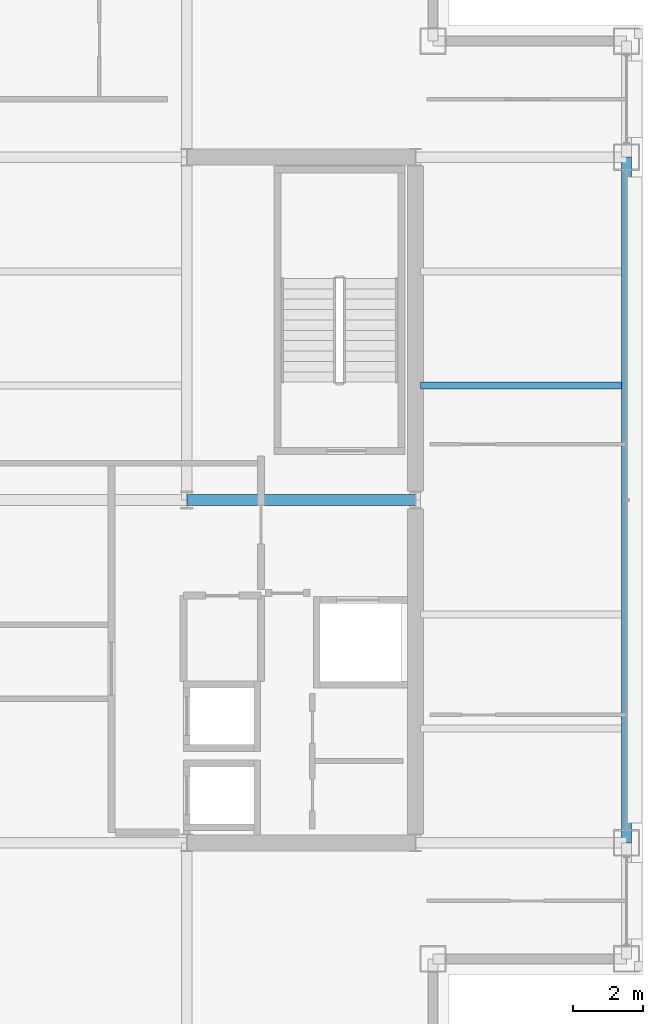
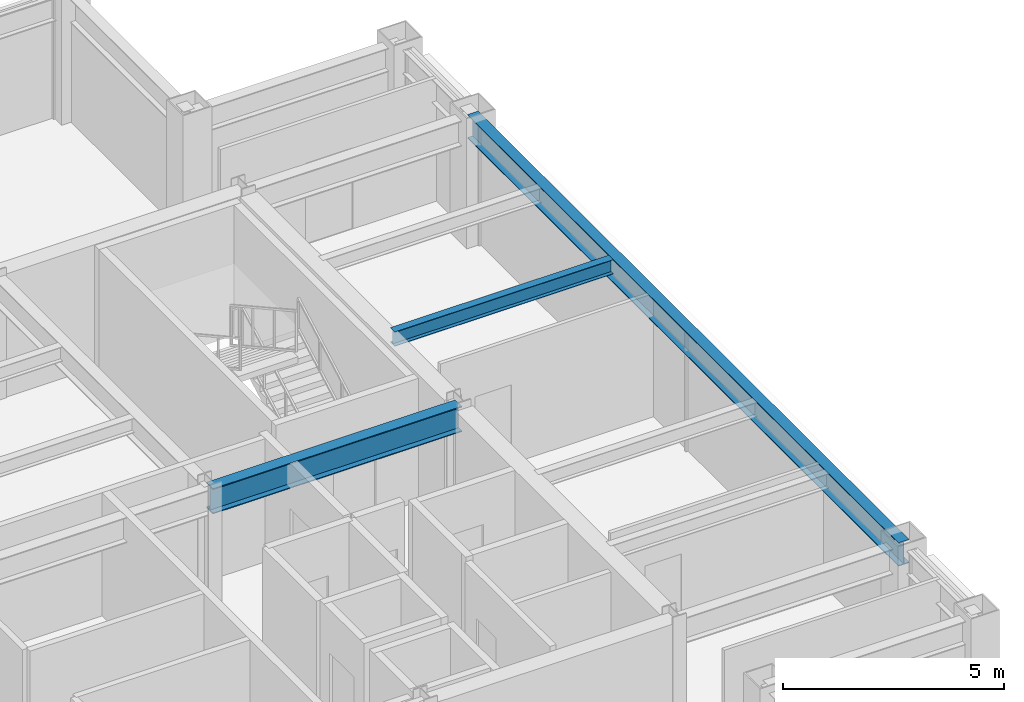
# One storey, part 14 of 28: 3 beams.
"""IFC4 building model written with IfcOpenShell, lengths in metres."""

import ifcopenshell
import ifcopenshell.guid

model = None  # the IFC model being written
_history = None  # IfcOwnerHistory: only IFC2X3 demands one
_inside = {}  # id of a spatial element -> (the spatial element, [elements in it])
_under = {}  # id of a project, library or spatial element -> (it, [spatial elements below it])
_declared = {}  # id of a project -> (the project, [libraries it declares])
_typed = {}  # id of a type object -> (the type object, [elements of that type])
_made_of = {}  # id of a material, layer set ... -> (it, [elements and type objects made of it])


def new_model(schema):
    """Start an empty IFC model of exactly this schema.

    Asked for "IFC4X3", IfcOpenShell would pick the latest addendum, in which some entities
    have other attributes; the version numbers below select the first issue.
    IFC2X3 requires an IfcOwnerHistory on every rooted entity: one is made here for all.
    """
    global model, _history
    if schema == "IFC4X3":
        model = ifcopenshell.file(schema_version=(4, 3, 0, 0))
    else:
        model = ifcopenshell.file(schema=schema)
    _inside.clear()
    _under.clear()
    _declared.clear()
    _typed.clear()
    _made_of.clear()
    _history = None
    if model.schema == "IFC2X3":
        org = make("IfcOrganization", Name="unknown")
        user = make(
            "IfcPersonAndOrganization",
            ThePerson=make("IfcPerson", FamilyName="unknown"),
            TheOrganization=org,
        )
        app = make(
            "IfcApplication",
            ApplicationDeveloper=org,
            Version="unknown",
            ApplicationFullName="unknown",
            ApplicationIdentifier="unknown",
        )
        _history = make(
            "IfcOwnerHistory",
            OwningUser=user,
            OwningApplication=app,
            ChangeAction="ADDED",
            CreationDate=0,
        )
    return model


def make(cls, **values):
    """One entity of the class cls with the attributes given. An attribute that is None is left unset."""
    return model.create_entity(
        cls, **{name: value for name, value in values.items() if value is not None}
    )


def rooted(cls, **values):
    """An entity with a GlobalId (a new one), such as an element, a storey or a relation."""
    return make(cls, GlobalId=ifcopenshell.guid.new(), OwnerHistory=_history, **values)


def si_unit(unit_type, name, prefix=None):
    """IfcSIUnit, for example si_unit("LENGTHUNIT", "METRE", prefix="MILLI")."""
    return make("IfcSIUnit", UnitType=unit_type, Prefix=prefix, Name=name)


def assignment(units):
    """IfcUnitAssignment: the units of a project."""
    return None if units is None else make("IfcUnitAssignment", Units=units)


def point(xyz):
    """IfcCartesianPoint."""
    return None if xyz is None else make("IfcCartesianPoint", Coordinates=xyz)


def direction(xyz):
    """IfcDirection."""
    return None if xyz is None else make("IfcDirection", DirectionRatios=xyz)


def frame(location, z_axis=None, x_axis=None):
    """IfcAxis2Placement3D, a coordinate frame: its origin and axes. An axis left out is left unset."""
    return make(
        "IfcAxis2Placement3D",
        Location=point(location),
        Axis=direction(z_axis),
        RefDirection=direction(x_axis),
    )


def frame_2d(location, x_axis=None):
    """IfcAxis2Placement2D, a coordinate frame in the plane: its origin and x axis."""
    return make(
        "IfcAxis2Placement2D", Location=point(location), RefDirection=direction(x_axis)
    )


def origin():
    """The frame at (0, 0, 0) with its axes left unset."""
    return frame((0.0, 0.0, 0.0))


def origin_2d():
    """The frame at (0, 0) in the plane with its x axis left unset."""
    return frame_2d((0.0, 0.0))


def place(relative_to, where):
    """IfcLocalPlacement: puts the frame where relative to a parent placement (None: the world)."""
    return make(
        "IfcLocalPlacement", PlacementRelTo=relative_to, RelativePlacement=where
    )


def context(
    kind, dimensions, precision=None, world=None, true_north=None, identifier=None
):
    """IfcGeometricRepresentationContext, for example the 3D "Model" context."""
    return make(
        "IfcGeometricRepresentationContext",
        ContextIdentifier=identifier,
        ContextType=kind,
        CoordinateSpaceDimension=dimensions,
        Precision=precision,
        WorldCoordinateSystem=world,
        TrueNorth=true_north,
    )


def subcontext(parent, identifier, kind, view, scale=None):
    """IfcGeometricRepresentationSubContext, for example "Body" below "Model"."""
    return make(
        "IfcGeometricRepresentationSubContext",
        ContextIdentifier=identifier,
        ContextType=kind,
        ParentContext=parent,
        TargetScale=scale,
        TargetView=view,
    )


def project(units=None, contexts=None):
    """IfcProject with its units and contexts."""
    return rooted(
        "IfcProject",
        Name="project",
        RepresentationContexts=contexts,
        UnitsInContext=assignment(units),
    )


def spatial(cls, under=None, at=None, **own):
    """A site, building, storey or space (cls), placed at a placement, below another one or the project."""
    s = rooted(cls, ObjectPlacement=at, **own)
    if under is not None:
        _under.setdefault(under.id(), (under, []))[1].append(s)
    return s


def profile(cls, at=None, kind="AREA", **sizes):
    """A parametric profile (cls). Its sizes go by their IFC names, for example OverallWidth=200.0."""
    return make(cls, ProfileType=kind, Position=at, **sizes)


def i_section(**sizes):
    """IfcIShapeProfileDef."""
    return profile("IfcIShapeProfileDef", **sizes)


def extrude(swept, where, along, depth):
    """IfcExtrudedAreaSolid: the profile swept, set in the frame where, extruded along a direction by depth."""
    return make(
        "IfcExtrudedAreaSolid",
        SweptArea=swept,
        Position=where,
        ExtrudedDirection=direction(along),
        Depth=depth,
    )


def shape(context_of_items, identifier, shape_type, items):
    """IfcShapeRepresentation: the items that make up one representation, for example the "Body"."""
    return make(
        "IfcShapeRepresentation",
        ContextOfItems=context_of_items,
        RepresentationIdentifier=identifier,
        RepresentationType=shape_type,
        Items=items,
    )


def material(Name=None, Category=None):
    """IfcMaterial."""
    return make("IfcMaterial", Name=Name, Category=Category)


def material_profile(
    of_material, cross_section, Name=None, Category=None, Priority=None
):
    """IfcMaterialProfile: a cross section and its material."""
    return make(
        "IfcMaterialProfile",
        Name=Name,
        Material=of_material,
        Profile=cross_section,
        Priority=Priority,
        Category=Category,
    )


def profile_set(profiles, Name=None, composite=None):
    """IfcMaterialProfileSet."""
    return make(
        "IfcMaterialProfileSet",
        Name=Name,
        MaterialProfiles=profiles,
        CompositeProfile=composite,
    )


def made_of(thing, what):
    """Note that an element or type object is made of a material, layer set ...; save() writes the relation."""
    if what is not None:
        _made_of.setdefault(what.id(), (what, []))[1].append(thing)
    return thing


def type_object(cls, material=None, **own):
    """A type object (cls), such as IfcWallType, which elements share."""
    return made_of(rooted(cls, **own), material)


def element(
    cls,
    number,
    at=None,
    inside=None,
    cuts=None,
    type_object=None,
    material=None,
    context=None,
    identifier="Body",
    shape_type=None,
    held_by="IfcProductDefinitionShape",
    body=None,
    shapes=None,
    **own,
):
    """One element of the class cls, such as IfcWall. Its Tag is "e" and its number.

    at: its placement. inside: the storey or other place that contains it. cuts: it is an
    opening in that element (IfcRelVoidsElement). A single representation is given by context,
    identifier, shape_type and body (its items); several are given by shapes. held_by: the class
    of the entity that holds the representations. save() writes the other relations.
    """
    e = rooted(cls, Tag="e%d" % number, ObjectPlacement=at, **own)
    if body is not None:
        shapes = [shape(context, identifier, shape_type, body)]
    if shapes is not None:
        e.Representation = make(held_by, Representations=shapes)
    if inside is not None:
        _inside.setdefault(inside.id(), (inside, []))[1].append(e)
    if cuts is not None:
        rooted(
            "IfcRelVoidsElement", RelatingBuildingElement=cuts, RelatedOpeningElement=e
        )
    if type_object is not None:
        _typed.setdefault(type_object.id(), (type_object, []))[1].append(e)
    return made_of(e, material)


def aggregate(whole, parts):
    """IfcRelAggregates: a whole, such as a stair, and the parts it consists of."""
    return rooted("IfcRelAggregates", RelatingObject=whole, RelatedObjects=parts)


def save(model, path):
    """Write the relations noted so far, then the file.

    IfcRelAggregates (storeys below a building ...), IfcRelContainedInSpatialStructure (elements
    in a storey), IfcRelDefinesByType, IfcRelAssociatesMaterial and IfcRelDeclares: one each for
    every whole, place, type object, material and project.
    """
    for whole, parts in _under.values():
        aggregate(whole, parts)
    for where, things in _inside.values():
        rooted(
            "IfcRelContainedInSpatialStructure",
            RelatedElements=things,
            RelatingStructure=where,
        )
    for kind, things in _typed.values():
        rooted("IfcRelDefinesByType", RelatedObjects=things, RelatingType=kind)
    for what, things in _made_of.values():
        rooted("IfcRelAssociatesMaterial", RelatedObjects=things, RelatingMaterial=what)
    for by, libraries in _declared.values():
        rooted("IfcRelDeclares", RelatingContext=by, RelatedDefinitions=libraries)
    model.write(path)


model = new_model("IFC4")

# Units and contexts
model_context = context("Model", 3, precision=1e-05, world=origin(), true_north=direction((0.0, 1.0)))
body_context = subcontext(model_context, "Body", "Model", "MODEL_VIEW")
ifc_project = project(units=[si_unit("LENGTHUNIT", "METRE"), si_unit("AREAUNIT", "SQUARE_METRE"), si_unit("VOLUMEUNIT", "CUBIC_METRE"), si_unit("PLANEANGLEUNIT", "RADIAN"), si_unit("MASSUNIT", "GRAM", prefix="KILO")], contexts=[model_context])

# Site, building, storey
site_placement = place(None, origin())
site = spatial("IfcSite", under=ifc_project, at=site_placement, CompositionType="ELEMENT")
building_placement = place(site_placement, origin())
building = spatial("IfcBuilding", under=site, at=building_placement, Name="Brelmoor Portico Tower", CompositionType="ELEMENT")
storey_placement = place(building_placement, frame((0.0, 0.0, 165.89990234375)))
storey = spatial("IfcBuildingStorey", under=building, at=storey_placement, Name="L43", CompositionType="ELEMENT", Elevation=165.89990234375)

# Beams
ifc_material = material(Name="Steel Q355B", Category="steel")
ifc_material_profile_1 = material_profile(ifc_material, i_section(OverallWidth=0.199951171875, OverallDepth=0.39990234375, WebThickness=0.008056640625, FlangeThickness=0.012939453125, at=origin_2d()), Name="HN 400x200x8x13")
ifc_profile_set_1 = profile_set([ifc_material_profile_1], Name="Steel Q355B")
beam_type_1 = type_object("IfcBeamType", Name="BM-JS-400", PredefinedType="JOIST", material=ifc_profile_set_1)
beam_1_placement = place(storey_placement, frame((14.699951171875, 3.25, 3.2001953125), z_axis=(1.0, 0.0, 0.0), x_axis=(0.0, 1.0, 0.0)))
element("IfcBeam", 1, at=beam_1_placement, inside=storey, type_object=beam_type_1, Name="L43 Secondary Wing Joist JS-E11", PredefinedType="JOIST", context=body_context, shape_type="SweptSolid", body=[
    extrude(i_section(OverallWidth=0.199951171875, OverallDepth=0.39990234375, WebThickness=0.008056640625, FlangeThickness=0.012939453125, at=origin_2d()), origin(), (0.0, 0.0, 1.0), 5.7099609375),
])
ifc_material_profile_2 = material_profile(ifc_material, i_section(OverallWidth=0.300048828125, OverallDepth=0.699951171875, WebThickness=0.012939453125, FlangeThickness=0.02392578125, at=origin_2d()), Name="HN 700x300x13x24")
ifc_profile_set_2 = profile_set([ifc_material_profile_2], Name="Steel Q355B")
beam_type_2 = type_object("IfcBeamType", Name="BM-PG-700", PredefinedType="BEAM", material=ifc_profile_set_2)
beam_2_placement = place(storey_placement, frame((8.050048828125, 0.0, 3.050048828125), z_axis=(1.0, 0.0, 0.0), x_axis=(0.0, 1.0, 0.0)))
element("IfcBeam", 2, at=beam_2_placement, inside=storey, type_object=beam_type_2, Name="L43 Primary Floor Girder PG-18", PredefinedType="BEAM", context=body_context, shape_type="SweptSolid", body=[
    extrude(i_section(OverallWidth=0.300048828125, OverallDepth=0.699951171875, WebThickness=0.012939453125, FlangeThickness=0.02392578125, at=origin_2d()), origin(), (0.0, 0.0, 1.0), 6.5),
])
ifc_material_profile_3 = material_profile(ifc_material, i_section(OverallWidth=0.280029296875, OverallDepth=0.64990234375, WebThickness=0.012939453125, FlangeThickness=0.02197265625, at=origin_2d()), Name="HN 650x280x13x22")
ifc_profile_set_3 = profile_set([ifc_material_profile_3], Name="Steel Q355B")
beam_type_3 = type_object("IfcBeamType", Name="BM-SP-650", PredefinedType="SPANDREL", material=ifc_profile_set_3)
beam_3_placement = place(storey_placement, frame((20.550048828125, -9.75, 3.0751953125), z_axis=(0.0, 1.0, 0.0), x_axis=(-1.0, 0.0, 0.0)))
element("IfcBeam", 3, at=beam_3_placement, inside=storey, type_object=beam_type_3, Name="L43 Perimeter Spandrel Beam SP-19", PredefinedType="SPANDREL", context=body_context, shape_type="SweptSolid", body=[
    extrude(i_section(OverallWidth=0.280029296875, OverallDepth=0.64990234375, WebThickness=0.012939453125, FlangeThickness=0.02197265625, at=origin_2d()), origin(), (0.0, 0.0, 1.0), 19.5),
])

save(model, "model.ifc")
